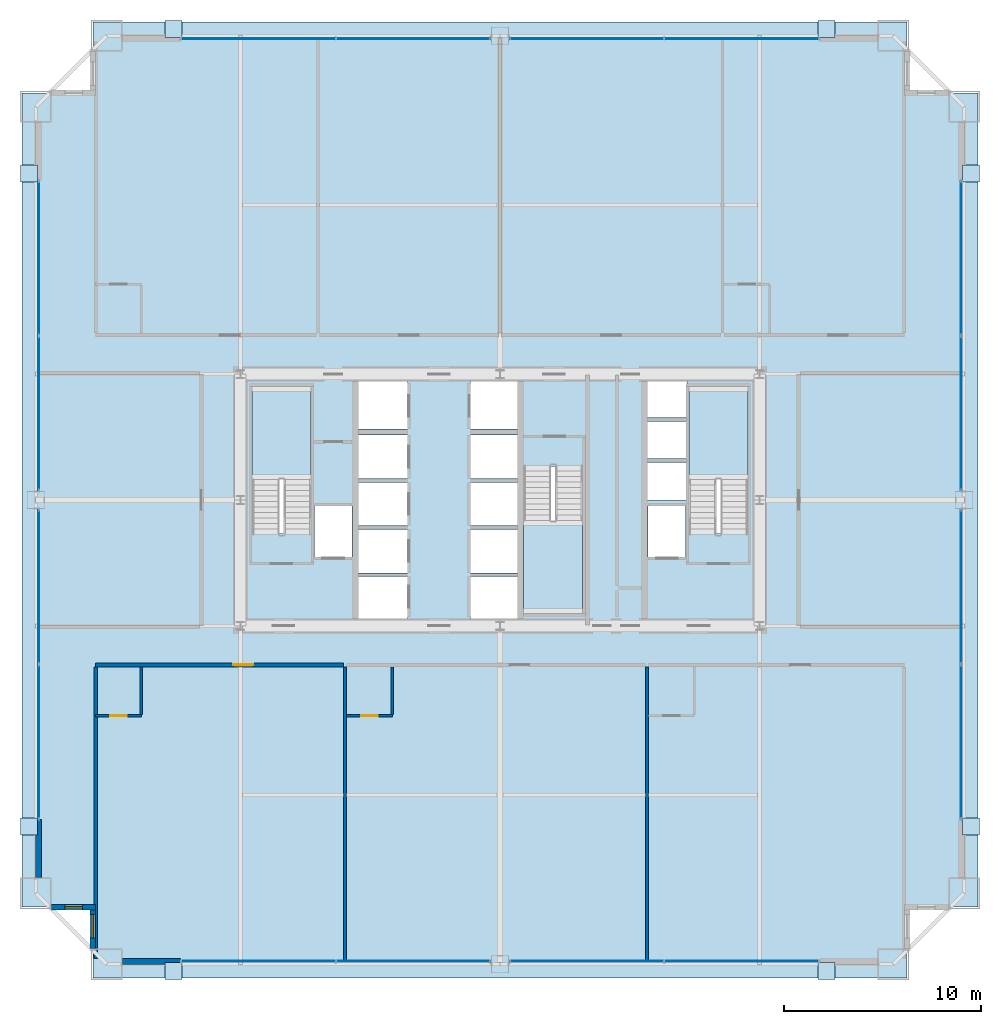
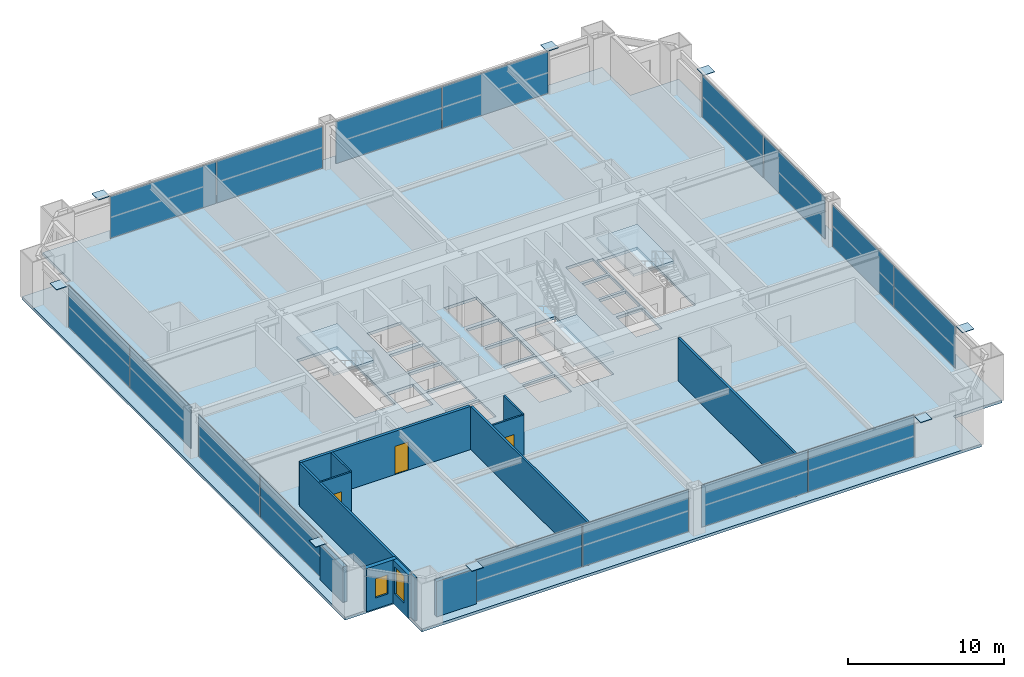
# One storey, part 33 of 37: 24 plates, 12 walls, 4 slabs, 3 doors, 2 windows, 5 openings, 11 elements without a shape of their own.
"""IFC4 building model written with IfcOpenShell, lengths in metres."""

from ifc_helpers import new_model, si_unit, direction, frame, frame_2d, origin, origin_2d, place, context, subcontext, project, spatial, polyline, rectangle, outline, extrude, source, transform, mapped, material, layer, layer_set, type_object, element, fill, aggregate, save


model = new_model("IFC4")

# Units and contexts
model_context = context("Model", 3, precision=1e-05, world=origin(), true_north=direction((0.0, 1.0)))
body_context = subcontext(model_context, "Body", "Model", "MODEL_VIEW")
ifc_project = project(units=[si_unit("LENGTHUNIT", "METRE"), si_unit("AREAUNIT", "SQUARE_METRE"), si_unit("VOLUMEUNIT", "CUBIC_METRE"), si_unit("PLANEANGLEUNIT", "RADIAN"), si_unit("MASSUNIT", "GRAM", prefix="KILO"), si_unit("THERMODYNAMICTEMPERATUREUNIT", "KELVIN"), si_unit("POWERUNIT", "WATT")], contexts=[model_context])

# Site, building, storey
site_placement = place(None, origin())
site = spatial("IfcSite", under=ifc_project, at=site_placement, CompositionType="ELEMENT")
building_placement = place(site_placement, origin())
building = spatial("IfcBuilding", under=site, at=building_placement, Name="Yuzanri Waterfront Tower", CompositionType="ELEMENT")
storey_placement = place(building_placement, frame((0.0, 0.0, 104.60009765625)))
storey = spatial("IfcBuildingStorey", under=building, at=storey_placement, Name="L27", CompositionType="ELEMENT", Elevation=104.60009765625)

# Stair, slab
ifc_material_1 = material(Name="Concrete C40", Category="concrete")
stair_type = type_object("IfcStairType", Name="Concrete C40 Core Dogleg Exit Stair", PredefinedType="HALF_TURN_STAIR", material=ifc_material_1)
stair_1_placement = place(storey_placement, origin())
stair_1 = element("IfcStair", 1, at=stair_1_placement, inside=storey, type_object=stair_type, Name="L27 Smoke-Proof Core Stair ST-01", PredefinedType="HALF_TURN_STAIR")
ifc_material_2 = material(Name="Concrete C40", Category="concrete")
ifc_layer_1 = layer(ifc_material_2, 0.179931640625)
ifc_layer_set_1 = layer_set([ifc_layer_1], Name="Concrete C40")
slab_type_1 = type_object("IfcSlabType", Name="Concrete C40 Stair Half-Landing Slab 180", PredefinedType="LANDING", material=ifc_layer_set_1)
slab_1_placement = place(storey_placement, frame((0.0, 0.0, 1.599853515625)))
slab_1 = element("IfcSlab", 2, at=slab_1_placement, type_object=slab_type_1, Name="ST-01 landing 1", PredefinedType="LANDING", context=body_context, shape_type="SweptSolid", body=[
    extrude(outline(polyline([(27.39990234375, 26.840087890625), (27.39990234375, 31.580078125), (24.39990234375, 31.580078125), (24.39990234375, 26.840087890625), (27.39990234375, 26.840087890625)])), origin(), (0.0, 0.0, 1.0), 0.199951171875),
])
aggregate(stair_1, [slab_1])

stair_2_placement = place(storey_placement, origin())
stair_2 = element("IfcStair", 3, at=stair_2_placement, inside=storey, type_object=stair_type, Name="L27 Smoke-Proof Core Stair ST-02", PredefinedType="HALF_TURN_STAIR")
slab_2_placement = place(storey_placement, frame((0.0, 0.0, 1.599853515625)))
slab_2 = element("IfcSlab", 4, at=slab_2_placement, type_object=slab_type_1, Name="ST-02 landing 1", PredefinedType="LANDING", context=body_context, shape_type="SweptSolid", body=[
    extrude(outline(polyline([(49.60009765625, 26.840087890625), (49.60009765625, 31.580078125), (46.60009765625, 31.580078125), (46.60009765625, 26.840087890625), (49.60009765625, 26.840087890625)])), origin(), (0.0, 0.0, 1.0), 0.199951171875),
])
aggregate(stair_2, [slab_2])

stair_3_placement = place(storey_placement, origin())
stair_3 = element("IfcStair", 5, at=stair_3_placement, inside=storey, type_object=stair_type, Name="L27 Smoke-Proof Core Stair ST-03", PredefinedType="HALF_TURN_STAIR")
slab_3_placement = place(storey_placement, frame((0.0, 0.0, 1.599853515625)))
slab_3 = element("IfcSlab", 6, at=slab_3_placement, type_object=slab_type_1, Name="ST-03 landing 1", PredefinedType="LANDING", context=body_context, shape_type="SweptSolid", body=[
    extrude(outline(polyline([(38.199951171875, 24.760009765625), (38.199951171875, 20.02001953125), (41.199951171875, 20.02001953125), (41.199951171875, 24.760009765625), (38.199951171875, 24.760009765625)])), origin(), (0.0, 0.0, 1.0), 0.199951171875),
])
aggregate(stair_3, [slab_3])

# Slab
ifc_material_3 = material(Name="Concrete C40", Category="concrete")
ifc_layer_2 = layer(ifc_material_3, 0.219970703125)
ifc_layer_set_2 = layer_set([ifc_layer_2], Name="Concrete C40")
slab_type_2 = type_object("IfcSlabType", Name="Concrete C40 Tower Typical Structural Floor Slab 220", PredefinedType="FLOOR", material=ifc_layer_set_2)
slab_4_placement = place(storey_placement, frame((0.0, 0.0, -0.22021484375)))
element("IfcSlab", 7, at=slab_4_placement, inside=storey, type_object=slab_type_2, Name="L27 Main Structural Floor Slab", PredefinedType="FLOOR", context=body_context, shape_type="SweptSolid", body=[
    extrude(outline(polyline([(16.300048828125, 1.5), (57.699951171875, 1.5), (57.699951171875, 5.10009765625), (61.300048828125, 5.10009765625), (61.300048828125, 46.5), (57.699951171875, 46.5), (57.699951171875, 50.10009765625), (16.300048828125, 50.10009765625), (16.300048828125, 46.5), (12.699951171875, 46.5), (12.699951171875, 5.10009765625), (16.300048828125, 5.10009765625), (16.300048828125, 1.5)]), holes=[polyline([(27.39990234375, 24.10009765625), (27.39990234375, 31.580078125), (24.39990234375, 31.580078125), (24.39990234375, 24.10009765625), (27.39990234375, 24.10009765625)]), polyline([(49.60009765625, 24.10009765625), (49.60009765625, 31.580078125), (46.60009765625, 31.580078125), (46.60009765625, 24.10009765625), (49.60009765625, 24.10009765625)]), polyline([(38.199951171875, 27.5), (38.199951171875, 20.02001953125), (41.199951171875, 20.02001953125), (41.199951171875, 27.5), (38.199951171875, 27.5)]), polyline([(27.56005859375, 22.89990234375), (29.47998046875, 22.89990234375), (29.47998046875, 25.5), (27.56005859375, 25.5), (27.56005859375, 22.89990234375)]), polyline([(44.52001953125, 22.89990234375), (46.43994140625, 22.89990234375), (46.43994140625, 25.5), (44.52001953125, 25.5), (44.52001953125, 22.89990234375)]), polyline([(29.800048828125, 19.699951171875), (32.300048828125, 19.699951171875), (32.300048828125, 21.89990234375), (29.800048828125, 21.89990234375), (29.800048828125, 19.699951171875)]), polyline([(29.800048828125, 22.10009765625), (32.300048828125, 22.10009765625), (32.300048828125, 24.300048828125), (29.800048828125, 24.300048828125), (29.800048828125, 22.10009765625)]), polyline([(29.800048828125, 24.5), (32.300048828125, 24.5), (32.300048828125, 26.699951171875), (29.800048828125, 26.699951171875), (29.800048828125, 24.5)]), polyline([(29.800048828125, 26.89990234375), (32.300048828125, 26.89990234375), (32.300048828125, 29.10009765625), (29.800048828125, 29.10009765625), (29.800048828125, 26.89990234375)]), polyline([(29.800048828125, 29.39990234375), (32.300048828125, 29.39990234375), (32.300048828125, 31.89990234375), (29.800048828125, 31.89990234375), (29.800048828125, 29.39990234375)]), polyline([(35.5, 19.699951171875), (37.89990234375, 19.699951171875), (37.89990234375, 21.89990234375), (35.5, 21.89990234375), (35.5, 19.699951171875)]), polyline([(35.5, 22.10009765625), (37.89990234375, 22.10009765625), (37.89990234375, 24.300048828125), (35.5, 24.300048828125), (35.5, 22.10009765625)]), polyline([(35.5, 24.5), (37.89990234375, 24.5), (37.89990234375, 26.699951171875), (35.5, 26.699951171875), (35.5, 24.5)]), polyline([(35.5, 26.89990234375), (37.89990234375, 26.89990234375), (37.89990234375, 29.10009765625), (35.5, 29.10009765625), (35.5, 26.89990234375)]), polyline([(35.5, 29.39990234375), (37.89990234375, 29.39990234375), (37.89990234375, 31.89990234375), (35.5, 31.89990234375), (35.5, 29.39990234375)]), polyline([(44.5, 25.800048828125), (46.5, 25.800048828125), (46.5, 27.699951171875), (44.5, 27.699951171875), (44.5, 25.800048828125)]), polyline([(44.5, 27.89990234375), (46.5, 27.89990234375), (46.5, 29.800048828125), (44.5, 29.800048828125), (44.5, 27.89990234375)]), polyline([(44.5, 30.0), (46.5, 30.0), (46.5, 31.89990234375), (44.5, 31.89990234375), (44.5, 30.0)])]), origin(), (0.0, 0.0, 1.0), 0.22021484375),
])

# Plates
ifc_material_4 = material(Name="Steel Q420GJC", Category="steel")
ifc_layer_3 = layer(ifc_material_4, 0.0400390625)
ifc_layer_set_3 = layer_set([ifc_layer_3], Name="Steel Q420GJC")
plate_type_1 = type_object("IfcPlateType", Name="Steel Q420GJC Mega-Brace Gusset and End-Cap Plate 40", PredefinedType="SHEET", material=ifc_layer_set_3)
shared_shape_1 = source(origin(), body_context, "Body", "SweptSolid", [
    extrude(rectangle(XDim=0.85009765625, YDim=0.85009765625, at=origin_2d()), origin(), (0.0, 0.0, 1.0), 0.0400390625),
])
for number, where, z_axis, x_axis, name in (
    (8, (20.39990234375, 1.860107421875, 3.259765625), (0.0, 0.0, 1.0), (1.0, 0.0, 0.0), "L27 Mega-Brace Apex Cap Plate S-L"),
    (9, (53.60009765625, 1.860107421875, 3.259765625), (0.0, 0.0, 1.0), (1.0, 0.0, 0.0), "L27 Mega-Brace Apex Cap Plate S-R"),
    (10, (20.39990234375, 49.739990234375, 3.259765625), (0.0, 0.0, 1.0), (1.0, 0.0, 0.0), "L27 Mega-Brace Apex Cap Plate N-L"),
    (11, (53.60009765625, 49.739990234375, 3.259765625), (0.0, 0.0, 1.0), (1.0, 0.0, 0.0), "L27 Mega-Brace Apex Cap Plate N-R"),
    (12, (13.06005859375, 9.199951171875, 3.259765625), (0.0, 0.0, 1.0), (1.0, 0.0, 0.0), "L27 Mega-Brace Apex Cap Plate W-L"),
    (13, (13.06005859375, 42.39990234375, 3.259765625), (0.0, 0.0, 1.0), (1.0, 0.0, 0.0), "L27 Mega-Brace Apex Cap Plate W-R"),
    (14, (60.93994140625, 9.199951171875, 3.259765625), (0.0, 0.0, 1.0), (1.0, 0.0, 0.0), "L27 Mega-Brace Apex Cap Plate E-L"),
    (15, (60.93994140625, 42.39990234375, 3.259765625), (0.0, 0.0, 1.0), (1.0, 0.0, 0.0), "L27 Mega-Brace Apex Cap Plate E-R"),
):
    element("IfcPlate", number, at=place(storey_placement, frame(where, z_axis=z_axis, x_axis=x_axis)), inside=storey, type_object=plate_type_1, Name=name, PredefinedType="SHEET", context=body_context, shape_type="MappedRepresentation", body=[
        mapped(shared_shape_1, transform((0.0, 0.0, 0.0), scale=1.0)),
    ])

# Curtain wall, plates
ifc_material_5 = material(Name="Anodized Architectural Bronze", Category="metal")
ifc_layer_4 = layer(ifc_material_5, 0.159912109375)
ifc_layer_set_4 = layer_set([ifc_layer_4], Name="Anodized Architectural Bronze")
curtain_wall_type = type_object("IfcCurtainWallType", Name="Anodized Bronze Hotel Upper-Tier Solar-Control Unitized Curtain Wall 7800", PredefinedType="NOTDEFINED", material=ifc_layer_set_4)
curtain_wall_1_placement = place(storey_placement, origin())
curtain_wall_1 = element("IfcCurtainWall", 16, at=curtain_wall_1_placement, inside=storey, type_object=curtain_wall_type, Name="L27 Curtain Wall CW-L27-SL", PredefinedType="NOTDEFINED")
ifc_material_6 = material(Name="Double-Silver Low-E Insulated Glass", Category="glass")
ifc_layer_5 = layer(ifc_material_6, 0.035888671875)
ifc_layer_set_5 = layer_set([ifc_layer_5], Name="Double-Silver Low-E Insulated Glass")
plate_type_2 = type_object("IfcPlateType", Name="Double Silver Low-E Insulated Vision Glass Panel 36", PredefinedType="CURTAIN_PANEL", material=ifc_layer_set_5)
shared_shape_2 = source(origin(), body_context, "Body", "SweptSolid", [
    extrude(rectangle(XDim=7.820068359375, YDim=0.035888671875, at=origin_2d()), origin(), (0.0, 0.0, 1.0), 3.280029296875),
])
plate_1_placement = place(storey_placement, frame((24.699951171875, 2.35009765625, 0.0498046875), z_axis=(0.0, 0.0, 1.0), x_axis=(1.0, 0.0, 0.0)))
plate_1 = element("IfcPlate", 17, at=plate_1_placement, type_object=plate_type_2, Name="CW-L27-SL Vision Glass Panel 01", PredefinedType="CURTAIN_PANEL", context=body_context, shape_type="MappedRepresentation", body=[
    mapped(shared_shape_2, transform((0.0, 0.0, 0.0), scale=1.0)),
])
plate_2_placement = place(storey_placement, frame((32.60009765625, 2.35009765625, 0.0498046875), z_axis=(0.0, 0.0, 1.0), x_axis=(1.0, 0.0, 0.0)))
plate_2 = element("IfcPlate", 18, at=plate_2_placement, type_object=plate_type_2, Name="CW-L27-SL Vision Glass Panel 02", PredefinedType="CURTAIN_PANEL", context=body_context, shape_type="MappedRepresentation", body=[
    mapped(shared_shape_2, transform((0.0, 0.0, 0.0), scale=1.0)),
])
aggregate(curtain_wall_1, [plate_1, plate_2])

curtain_wall_2_placement = place(storey_placement, origin())
curtain_wall_2 = element("IfcCurtainWall", 19, at=curtain_wall_2_placement, inside=storey, type_object=curtain_wall_type, Name="L27 Curtain Wall CW-L27-SR", PredefinedType="NOTDEFINED")
plate_3_placement = place(storey_placement, frame((41.39990234375, 2.35009765625, 0.0498046875), z_axis=(0.0, 0.0, 1.0), x_axis=(1.0, 0.0, 0.0)))
plate_3 = element("IfcPlate", 20, at=plate_3_placement, type_object=plate_type_2, Name="CW-L27-SR Vision Glass Panel 01", PredefinedType="CURTAIN_PANEL", context=body_context, shape_type="MappedRepresentation", body=[
    mapped(shared_shape_2, transform((0.0, 0.0, 0.0), scale=1.0)),
])
plate_4_placement = place(storey_placement, frame((49.300048828125, 2.35009765625, 0.0498046875), z_axis=(0.0, 0.0, 1.0), x_axis=(1.0, 0.0, 0.0)))
plate_4 = element("IfcPlate", 21, at=plate_4_placement, type_object=plate_type_2, Name="CW-L27-SR Vision Glass Panel 02", PredefinedType="CURTAIN_PANEL", context=body_context, shape_type="MappedRepresentation", body=[
    mapped(shared_shape_2, transform((0.0, 0.0, 0.0), scale=1.0)),
])
aggregate(curtain_wall_2, [plate_3, plate_4])

curtain_wall_3_placement = place(storey_placement, origin())
curtain_wall_3 = element("IfcCurtainWall", 22, at=curtain_wall_3_placement, inside=storey, type_object=curtain_wall_type, Name="L27 Curtain Wall CW-L27-NL", PredefinedType="NOTDEFINED")
plate_5_placement = place(storey_placement, frame((24.699951171875, 49.25, 0.0498046875), z_axis=(0.0, 0.0, 1.0), x_axis=(1.0, 0.0, 0.0)))
plate_5 = element("IfcPlate", 23, at=plate_5_placement, type_object=plate_type_2, Name="CW-L27-NL Vision Glass Panel 01", PredefinedType="CURTAIN_PANEL", context=body_context, shape_type="MappedRepresentation", body=[
    mapped(shared_shape_2, transform((0.0, 0.0, 0.0), scale=1.0)),
])
plate_6_placement = place(storey_placement, frame((32.60009765625, 49.25, 0.0498046875), z_axis=(0.0, 0.0, 1.0), x_axis=(1.0, 0.0, 0.0)))
plate_6 = element("IfcPlate", 24, at=plate_6_placement, type_object=plate_type_2, Name="CW-L27-NL Vision Glass Panel 02", PredefinedType="CURTAIN_PANEL", context=body_context, shape_type="MappedRepresentation", body=[
    mapped(shared_shape_2, transform((0.0, 0.0, 0.0), scale=1.0)),
])
aggregate(curtain_wall_3, [plate_5, plate_6])

curtain_wall_4_placement = place(storey_placement, origin())
curtain_wall_4 = element("IfcCurtainWall", 25, at=curtain_wall_4_placement, inside=storey, type_object=curtain_wall_type, Name="L27 Curtain Wall CW-L27-NR", PredefinedType="NOTDEFINED")
plate_7_placement = place(storey_placement, frame((41.39990234375, 49.25, 0.0498046875), z_axis=(0.0, 0.0, 1.0), x_axis=(1.0, 0.0, 0.0)))
plate_7 = element("IfcPlate", 26, at=plate_7_placement, type_object=plate_type_2, Name="CW-L27-NR Vision Glass Panel 01", PredefinedType="CURTAIN_PANEL", context=body_context, shape_type="MappedRepresentation", body=[
    mapped(shared_shape_2, transform((0.0, 0.0, 0.0), scale=1.0)),
])
plate_8_placement = place(storey_placement, frame((49.300048828125, 49.25, 0.0498046875), z_axis=(0.0, 0.0, 1.0), x_axis=(1.0, 0.0, 0.0)))
plate_8 = element("IfcPlate", 27, at=plate_8_placement, type_object=plate_type_2, Name="CW-L27-NR Vision Glass Panel 02", PredefinedType="CURTAIN_PANEL", context=body_context, shape_type="MappedRepresentation", body=[
    mapped(shared_shape_2, transform((0.0, 0.0, 0.0), scale=1.0)),
])
aggregate(curtain_wall_4, [plate_7, plate_8])

curtain_wall_5_placement = place(storey_placement, origin())
curtain_wall_5 = element("IfcCurtainWall", 28, at=curtain_wall_5_placement, inside=storey, type_object=curtain_wall_type, Name="L27 Curtain Wall CW-L27-WL", PredefinedType="NOTDEFINED")
plate_9_placement = place(storey_placement, frame((13.550048828125, 13.5, 0.0498046875), z_axis=(0.0, 0.0, 1.0), x_axis=(0.0, 1.0, 0.0)))
plate_9 = element("IfcPlate", 29, at=plate_9_placement, type_object=plate_type_2, Name="CW-L27-WL Vision Glass Panel 01", PredefinedType="CURTAIN_PANEL", context=body_context, shape_type="MappedRepresentation", body=[
    mapped(shared_shape_2, transform((0.0, 0.0, 0.0), scale=1.0)),
])
plate_10_placement = place(storey_placement, frame((13.550048828125, 21.39990234375, 0.0498046875), z_axis=(0.0, 0.0, 1.0), x_axis=(0.0, 1.0, 0.0)))
plate_10 = element("IfcPlate", 30, at=plate_10_placement, type_object=plate_type_2, Name="CW-L27-WL Vision Glass Panel 02", PredefinedType="CURTAIN_PANEL", context=body_context, shape_type="MappedRepresentation", body=[
    mapped(shared_shape_2, transform((0.0, 0.0, 0.0), scale=1.0)),
])
aggregate(curtain_wall_5, [plate_9, plate_10])

curtain_wall_6_placement = place(storey_placement, origin())
curtain_wall_6 = element("IfcCurtainWall", 31, at=curtain_wall_6_placement, inside=storey, type_object=curtain_wall_type, Name="L27 Curtain Wall CW-L27-WR", PredefinedType="NOTDEFINED")
plate_11_placement = place(storey_placement, frame((13.550048828125, 30.199951171875, 0.0498046875), z_axis=(0.0, 0.0, 1.0), x_axis=(0.0, 1.0, 0.0)))
plate_11 = element("IfcPlate", 32, at=plate_11_placement, type_object=plate_type_2, Name="CW-L27-WR Vision Glass Panel 01", PredefinedType="CURTAIN_PANEL", context=body_context, shape_type="MappedRepresentation", body=[
    mapped(shared_shape_2, transform((0.0, 0.0, 0.0), scale=1.0)),
])
plate_12_placement = place(storey_placement, frame((13.550048828125, 38.10009765625, 0.0498046875), z_axis=(0.0, 0.0, 1.0), x_axis=(0.0, 1.0, 0.0)))
plate_12 = element("IfcPlate", 33, at=plate_12_placement, type_object=plate_type_2, Name="CW-L27-WR Vision Glass Panel 02", PredefinedType="CURTAIN_PANEL", context=body_context, shape_type="MappedRepresentation", body=[
    mapped(shared_shape_2, transform((0.0, 0.0, 0.0), scale=1.0)),
])
aggregate(curtain_wall_6, [plate_11, plate_12])

curtain_wall_7_placement = place(storey_placement, origin())
curtain_wall_7 = element("IfcCurtainWall", 34, at=curtain_wall_7_placement, inside=storey, type_object=curtain_wall_type, Name="L27 Curtain Wall CW-L27-EL", PredefinedType="NOTDEFINED")
plate_13_placement = place(storey_placement, frame((60.449951171875, 13.5, 0.0498046875), z_axis=(0.0, 0.0, 1.0), x_axis=(0.0, 1.0, 0.0)))
plate_13 = element("IfcPlate", 35, at=plate_13_placement, type_object=plate_type_2, Name="CW-L27-EL Vision Glass Panel 01", PredefinedType="CURTAIN_PANEL", context=body_context, shape_type="MappedRepresentation", body=[
    mapped(shared_shape_2, transform((0.0, 0.0, 0.0), scale=1.0)),
])
plate_14_placement = place(storey_placement, frame((60.449951171875, 21.39990234375, 0.0498046875), z_axis=(0.0, 0.0, 1.0), x_axis=(0.0, 1.0, 0.0)))
plate_14 = element("IfcPlate", 36, at=plate_14_placement, type_object=plate_type_2, Name="CW-L27-EL Vision Glass Panel 02", PredefinedType="CURTAIN_PANEL", context=body_context, shape_type="MappedRepresentation", body=[
    mapped(shared_shape_2, transform((0.0, 0.0, 0.0), scale=1.0)),
])
aggregate(curtain_wall_7, [plate_13, plate_14])

curtain_wall_8_placement = place(storey_placement, origin())
curtain_wall_8 = element("IfcCurtainWall", 37, at=curtain_wall_8_placement, inside=storey, type_object=curtain_wall_type, Name="L27 Curtain Wall CW-L27-ER", PredefinedType="NOTDEFINED")
plate_15_placement = place(storey_placement, frame((60.449951171875, 30.199951171875, 0.0498046875), z_axis=(0.0, 0.0, 1.0), x_axis=(0.0, 1.0, 0.0)))
plate_15 = element("IfcPlate", 38, at=plate_15_placement, type_object=plate_type_2, Name="CW-L27-ER Vision Glass Panel 01", PredefinedType="CURTAIN_PANEL", context=body_context, shape_type="MappedRepresentation", body=[
    mapped(shared_shape_2, transform((0.0, 0.0, 0.0), scale=1.0)),
])
plate_16_placement = place(storey_placement, frame((60.449951171875, 38.10009765625, 0.0498046875), z_axis=(0.0, 0.0, 1.0), x_axis=(0.0, 1.0, 0.0)))
plate_16 = element("IfcPlate", 39, at=plate_16_placement, type_object=plate_type_2, Name="CW-L27-ER Vision Glass Panel 02", PredefinedType="CURTAIN_PANEL", context=body_context, shape_type="MappedRepresentation", body=[
    mapped(shared_shape_2, transform((0.0, 0.0, 0.0), scale=1.0)),
])
aggregate(curtain_wall_8, [plate_15, plate_16])

# Wall, opening, door
ifc_material_7 = material(Name="Moisture-Resistant Gypsum Stud Wall", Category="gypsum")
ifc_layer_6 = layer(ifc_material_7, 0.1201171875)
ifc_layer_set_6 = layer_set([ifc_layer_6], Name="Moisture-Resistant Gypsum Stud Wall")
wall_type_1 = type_object("IfcWallType", Name="Bathroom and Kitchen Wet Partition 120", PredefinedType="PARTITIONING", material=ifc_layer_set_6)
wall_1_placement = place(storey_placement, frame((16.43994140625, 14.840087890625, 0.0), z_axis=(0.0, 0.0, 1.0), x_axis=(1.0, 0.0, 0.0)))
wall_1 = element("IfcWall", 40, at=wall_1_placement, inside=storey, type_object=wall_type_1, Name="L27 Partition UW-L27-S1-BS", PredefinedType="PARTITIONING", context=body_context, shape_type="SweptSolid", body=[
    extrude(rectangle(XDim=2.330078125, YDim=0.1201171875, at=frame_2d((1.1650390625, 0.0))), origin(), (0.0, 0.0, 1.0), 3.3798828125),
])
opening_1_placement = place(wall_1_placement, frame((0.739990234375, 0.0, 0.0)))
opening_1 = element("IfcOpeningElement", 41, at=opening_1_placement, cuts=wall_1, Name="Opening ID-0850", PredefinedType="OPENING", context=body_context, shape_type="SweptSolid", body=[
    extrude(rectangle(XDim=0.85009765625, YDim=2.10009765625, at=frame_2d((0.425048828125, 1.050048828125))), frame((0.0, 0.074951171875, 0.0), z_axis=(0.0, -1.0, 0.0), x_axis=(1.0, 0.0, 0.0)), (0.0, 0.0, 1.0), 0.14990234375),
])
ifc_material_8 = material(Name="Moisture-Resistant Lacquered Timber", Category="wood")
door_type_1 = type_object("IfcDoorType", Name="En-Suite Bathroom and Kitchen Swing Door 850x2100", OperationType="NOTDEFINED", PredefinedType="DOOR", material=ifc_material_8)
shared_shape_3 = source(origin(), body_context, "Body", "SweptSolid", [
    extrude(rectangle(XDim=0.85009765625, YDim=2.10009765625, at=frame_2d((0.425048828125, 1.050048828125))), frame((0.0, 0.02490234375, 0.0), z_axis=(0.0, -1.0, 0.0), x_axis=(1.0, 0.0, 0.0)), (0.0, 0.0, 1.0), 0.050048828125),
])
door_1_placement = place(opening_1_placement, origin())
door_1 = element("IfcDoor", 42, at=door_1_placement, inside=storey, type_object=door_type_1, Name="L27 Guest En-Suite Door", OperationType="SINGLE_SWING_RIGHT", OverallHeight=2.10009765625, OverallWidth=0.85009765625, PredefinedType="DOOR", context=body_context, shape_type="MappedRepresentation", body=[
    mapped(shared_shape_3, transform((0.0, 0.0, 0.0), scale=1.0)),
])
fill(opening_1, door_1)

wall_2_placement = place(storey_placement, frame((29.198974609375, 14.840087890625, 0.0), z_axis=(0.0, 0.0, 1.0), x_axis=(1.0, 0.0, 0.0)))
wall_2 = element("IfcWall", 43, at=wall_2_placement, inside=storey, type_object=wall_type_1, Name="L27 Partition UW-L27-S2-BS", PredefinedType="PARTITIONING", context=body_context, shape_type="SweptSolid", body=[
    extrude(rectangle(XDim=2.330078125, YDim=0.1201171875, at=frame_2d((1.1650390625, 0.0))), origin(), (0.0, 0.0, 1.0), 3.3798828125),
])
opening_2_placement = place(wall_2_placement, frame((0.739990234375, 0.0, 0.0)))
opening_2 = element("IfcOpeningElement", 44, at=opening_2_placement, cuts=wall_2, Name="Opening ID-0850", PredefinedType="OPENING", context=body_context, shape_type="SweptSolid", body=[
    extrude(rectangle(XDim=0.85009765625, YDim=2.10009765625, at=frame_2d((0.425048828125, 1.050048828125))), frame((0.0, 0.074951171875, 0.0), z_axis=(0.0, -1.0, 0.0), x_axis=(1.0, 0.0, 0.0)), (0.0, 0.0, 1.0), 0.14990234375),
])
door_2_placement = place(opening_2_placement, origin())
door_2 = element("IfcDoor", 45, at=door_2_placement, inside=storey, type_object=door_type_1, Name="L27 Guest En-Suite Door", OperationType="SINGLE_SWING_RIGHT", OverallHeight=2.10009765625, OverallWidth=0.85009765625, PredefinedType="DOOR", context=body_context, shape_type="MappedRepresentation", body=[
    mapped(shared_shape_3, transform((0.0, 0.0, 0.0), scale=1.0)),
])
fill(opening_2, door_2)

# Wall, opening, window
ifc_material_9 = material(Name="Honed Chongqing Dark Basalt Stone", Category="masonry")
ifc_layer_7 = layer(ifc_material_9, 0.300048828125)
ifc_layer_set_7 = layer_set([ifc_layer_7], Name="Honed Chongqing Dark Basalt Stone")
wall_type_2 = type_object("IfcWallType", Name="Bronze Rainscreen Insulated Spandrel Portal Wall 300", PredefinedType="SOLIDWALL", material=ifc_layer_set_7)
wall_3_placement = place(storey_placement, frame((14.199951171875, 5.10009765625, 0.0), z_axis=(0.0, 0.0, 1.0), x_axis=(1.0, 0.0, 0.0)))
wall_3 = element("IfcWall", 46, at=wall_3_placement, inside=storey, type_object=wall_type_2, Name="L27 Notched Corner Masonry Wall SW-X", PredefinedType="SOLIDWALL", context=body_context, shape_type="SweptSolid", body=[
    extrude(rectangle(XDim=2.25, YDim=0.300048828125, at=frame_2d((1.125, 0.0))), origin(), (0.0, 0.0, 1.0), 3.3798828125),
])
opening_3_placement = place(wall_3_placement, frame((0.675048828125, 0.0, 0.85009765625)))
opening_3 = element("IfcOpeningElement", 47, at=opening_3_placement, cuts=wall_3, Name="Opening WN-05", PredefinedType="OPENING", context=body_context, shape_type="SweptSolid", body=[
    extrude(rectangle(XDim=0.89990234375, YDim=1.5, at=frame_2d((0.449951171875, 0.75))), frame((0.0, 0.1650390625, 0.0), z_axis=(0.0, -1.0, 0.0), x_axis=(1.0, 0.0, 0.0)), (0.0, 0.0, 1.0), 0.329833984375),
])
ifc_material_10 = material(Name="Double-Silver Low-E Insulated Glass", Category="glass")
window_type_1 = type_object("IfcWindowType", Name="Anodized Bronze Service and Stairwell Smoke-Vent Window 900x1500", PartitioningType="SINGLE_PANEL", PredefinedType="WINDOW", material=ifc_material_10)
shared_shape_4 = source(origin(), body_context, "Body", "SweptSolid", [
    extrude(rectangle(XDim=0.89990234375, YDim=1.5, at=frame_2d((0.449951171875, 0.75))), frame((0.0, 0.030029296875, 0.0), z_axis=(0.0, -1.0, 0.0), x_axis=(1.0, 0.0, 0.0)), (0.0, 0.0, 1.0), 0.06005859375),
])
window_1_placement = place(opening_3_placement, origin())
window_1 = element("IfcWindow", 48, at=window_1_placement, inside=storey, type_object=window_type_1, Name="L27 Notched Corner Window SW-X", OverallHeight=1.5, OverallWidth=0.89990234375, PartitioningType="SINGLE_PANEL", PredefinedType="WINDOW", context=body_context, shape_type="MappedRepresentation", body=[
    mapped(shared_shape_4, transform((0.0, 0.0, 0.0), scale=1.0)),
])
fill(opening_3, window_1)

wall_4_placement = place(storey_placement, frame((16.300048828125, 5.25, 0.0), z_axis=(0.0, 0.0, 1.0), x_axis=(0.0, -1.0, 0.0)))
wall_4 = element("IfcWall", 49, at=wall_4_placement, inside=storey, type_object=wall_type_2, Name="L27 Notched Corner Masonry Wall SW-Y", PredefinedType="SOLIDWALL", context=body_context, shape_type="SweptSolid", body=[
    extrude(rectangle(XDim=2.25, YDim=0.300048828125, at=frame_2d((1.125, 0.0))), origin(), (0.0, 0.0, 1.0), 3.3798828125),
])
opening_4_placement = place(wall_4_placement, frame((0.52490234375, 0.0, 0.85009765625)))
opening_4 = element("IfcOpeningElement", 50, at=opening_4_placement, cuts=wall_4, Name="Opening WN-02", PredefinedType="OPENING", context=body_context, shape_type="SweptSolid", body=[
    extrude(rectangle(XDim=1.199951171875, YDim=2.10009765625, at=frame_2d((0.60009765625, 1.050048828125))), frame((0.0, 0.1650390625, 0.0), z_axis=(0.0, -1.0, 0.0), x_axis=(1.0, 0.0, 0.0)), (0.0, 0.0, 1.0), 0.329833984375),
])
ifc_material_11 = material(Name="Double-Silver Low-E Insulated Glass", Category="glass")
window_type_2 = type_object("IfcWindowType", Name="Anodized Bronze Notched Corner Deep-Set Slot Window 1200x2100", PartitioningType="SINGLE_PANEL", PredefinedType="WINDOW", material=ifc_material_11)
shared_shape_5 = source(origin(), body_context, "Body", "SweptSolid", [
    extrude(rectangle(XDim=1.199951171875, YDim=2.10009765625, at=frame_2d((0.60009765625, 1.050048828125))), frame((0.0, 0.030029296875, 0.0), z_axis=(0.0, -1.0, 0.0), x_axis=(1.0, 0.0, 0.0)), (0.0, 0.0, 1.0), 0.06005859375),
])
window_2_placement = place(opening_4_placement, origin())
window_2 = element("IfcWindow", 51, at=window_2_placement, inside=storey, type_object=window_type_2, Name="L27 Notched Corner Window SW-Y", OverallHeight=2.10009765625, OverallWidth=1.199951171875, PartitioningType="SINGLE_PANEL", PredefinedType="WINDOW", context=body_context, shape_type="MappedRepresentation", body=[
    mapped(shared_shape_5, transform((0.0, 0.0, 0.0), scale=1.0)),
])
fill(opening_4, window_2)

# Wall, opening, door
ifc_material_12 = material(Name="Autoclaved Aerated Concrete Blockwork", Category="masonry")
ifc_layer_8 = layer(ifc_material_12, 0.199951171875)
ifc_layer_set_8 = layer_set([ifc_layer_8], Name="Autoclaved Aerated Concrete Blockwork")
wall_type_3 = type_object("IfcWallType", Name="Corridor and Unit Party Fire Wall 200", PredefinedType="PARTITIONING", material=ifc_layer_set_8)
wall_5_placement = place(storey_placement, frame((16.43994140625, 17.419921875, 0.0), z_axis=(0.0, 0.0, 1.0), x_axis=(1.0, 0.0, 0.0)))
wall_5 = element("IfcWall", 52, at=wall_5_placement, inside=storey, type_object=wall_type_3, Name="L27 Partition UW-L27-S1-CN", PredefinedType="PARTITIONING", context=body_context, shape_type="SweptSolid", body=[
    extrude(rectangle(XDim=12.59912109375, YDim=0.199951171875, at=frame_2d((6.299560546875, 0.0))), origin(), (0.0, 0.0, 1.0), 3.3798828125),
])
opening_5_placement = place(wall_5_placement, frame((7.0048828125, 0.0, 0.0)))
opening_5 = element("IfcOpeningElement", 53, at=opening_5_placement, cuts=wall_5, Name="Opening FD-1000", PredefinedType="OPENING", context=body_context, shape_type="SweptSolid", body=[
    extrude(rectangle(XDim=1.0, YDim=2.199951171875, at=frame_2d((0.5, 1.10009765625))), frame((0.0, 0.11474609375, 0.0), z_axis=(0.0, -1.0, 0.0), x_axis=(1.0, 0.0, 0.0)), (0.0, 0.0, 1.0), 0.229736328125),
])
ifc_material_13 = material(Name="Engineered Oak Fire-Rated Timber", Category="wood")
door_type_2 = type_object("IfcDoorType", Name="Guestroom and Apartment Entrance Fire Door 1000x2200", OperationType="NOTDEFINED", PredefinedType="DOOR", material=ifc_material_13)
shared_shape_6 = source(origin(), body_context, "Body", "SweptSolid", [
    extrude(rectangle(XDim=1.0, YDim=2.199951171875, at=frame_2d((0.5, 1.10009765625))), frame((0.0, 0.02490234375, 0.0), z_axis=(0.0, -1.0, 0.0), x_axis=(1.0, 0.0, 0.0)), (0.0, 0.0, 1.0), 0.050048828125),
])
door_3_placement = place(opening_5_placement, origin())
door_3 = element("IfcDoor", 54, at=door_3_placement, inside=storey, type_object=door_type_2, Name="L27 Presidential Corner Suite Entrance Door", OperationType="SINGLE_SWING_LEFT", OverallHeight=2.199951171875, OverallWidth=1.0, PredefinedType="DOOR", context=body_context, shape_type="MappedRepresentation", body=[
    mapped(shared_shape_6, transform((0.0, 0.0, 0.0), scale=1.0)),
])
fill(opening_5, door_3)

# Walls
shared_shape_7 = source(origin(), body_context, "Body", "SweptSolid", [
    extrude(rectangle(XDim=2.949951171875, YDim=0.300048828125, at=frame_2d((1.47509765625, 0.0))), origin(), (0.0, 0.0, 1.0), 2.77490234375),
])
for number, where, z_axis, x_axis, name in (
    (55, (17.800048828125, 2.35009765625, 0.0), (0.0, 0.0, 1.0), (1.0, 0.0, 0.0), "L27 S Left Braced Masonry Shoulder"),
    (56, (13.550048828125, 6.60009765625, 0.0), (0.0, 0.0, 1.0), (0.0, 1.0, 0.0), "L27 W Left Braced Masonry Shoulder"),
):
    element("IfcWall", number, at=place(storey_placement, frame(where, z_axis=z_axis, x_axis=x_axis)), inside=storey, type_object=wall_type_2, Name=name, PredefinedType="SOLIDWALL", context=body_context, shape_type="MappedRepresentation", body=[
        mapped(shared_shape_7, transform((0.0, 0.0, 0.0), scale=1.0)),
    ])
shared_shape_8 = source(origin(), body_context, "Body", "SweptSolid", [
    extrude(rectangle(XDim=2.420166015625, YDim=0.1201171875, at=frame_2d((1.2099609375, 0.0))), origin(), (0.0, 0.0, 1.0), 3.3798828125),
])
for number, where, z_axis, x_axis, name in (
    (57, (18.77001953125, 14.89990234375, 0.0), (0.0, 0.0, 1.0), (0.0, 1.0, 0.0), "L27-S1 En-Suite Side Wall"),
    (58, (31.529052734375, 14.89990234375, 0.0), (0.0, 0.0, 1.0), (0.0, 1.0, 0.0), "L27-S2 En-Suite Side Wall"),
):
    element("IfcWall", number, at=place(storey_placement, frame(where, z_axis=z_axis, x_axis=x_axis)), inside=storey, type_object=wall_type_1, Name=name, PredefinedType="PARTITIONING", context=body_context, shape_type="MappedRepresentation", body=[
        mapped(shared_shape_8, transform((0.0, 0.0, 0.0), scale=1.0)),
    ])
ifc_material_14 = material(Name="Gypsum Fireboard Acoustic Stud Wall", Category="gypsum")
ifc_layer_9 = layer(ifc_material_14, 0.159912109375)
ifc_layer_set_9 = layer_set([ifc_layer_9], Name="Gypsum Fireboard Acoustic Stud Wall")
wall_type_4 = type_object("IfcWallType", Name="Acoustic Suite Demising Partition 160", PredefinedType="PARTITIONING", material=ifc_layer_set_9)
shared_shape_9 = source(origin(), body_context, "Body", "SweptSolid", [
    extrude(rectangle(XDim=14.969970703125, YDim=0.159912109375, at=frame_2d((7.48486328125, 0.0))), origin(), (0.0, 0.0, 1.0), 3.3798828125),
])
for number, where, z_axis, x_axis, name in (
    (59, (29.118896484375, 2.35009765625, 0.0), (0.0, 0.0, 1.0), (0.0, 1.0, 0.0), "L27-S1 Party Wall"),
    (60, (44.469970703125, 2.35009765625, 0.0), (0.0, 0.0, 1.0), (0.0, 1.0, 0.0), "L27-S2 Party Wall"),
):
    element("IfcWall", number, at=place(storey_placement, frame(where, z_axis=z_axis, x_axis=x_axis)), inside=storey, type_object=wall_type_4, Name=name, PredefinedType="PARTITIONING", context=body_context, shape_type="MappedRepresentation", body=[
        mapped(shared_shape_9, transform((0.0, 0.0, 0.0), scale=1.0)),
    ])
shared_shape_10 = source(origin(), body_context, "Body", "SweptSolid", [
    extrude(rectangle(XDim=14.820068359375, YDim=0.159912109375, at=frame_2d((7.41015625, 0.0))), origin(), (0.0, 0.0, 1.0), 3.3798828125),
])
wall_6_placement = place(storey_placement, frame((16.449951171875, 2.5, 0.0), z_axis=(0.0, 0.0, 1.0), x_axis=(0.0, 1.0, 0.0)))
element("IfcWall", 61, at=wall_6_placement, inside=storey, type_object=wall_type_4, Name="L27 South Band West End Wall", PredefinedType="PARTITIONING", context=body_context, shape_type="MappedRepresentation", body=[
    mapped(shared_shape_10, transform((0.0, 0.0, 0.0), scale=1.0)),
])

save(model, "model.ifc")
